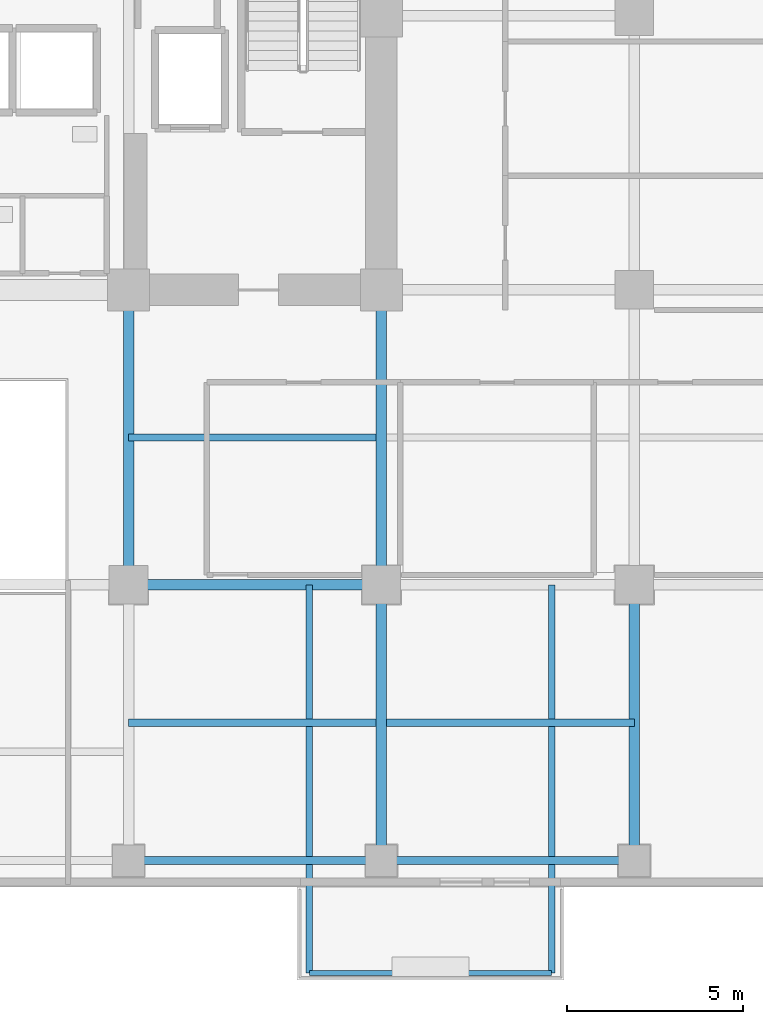
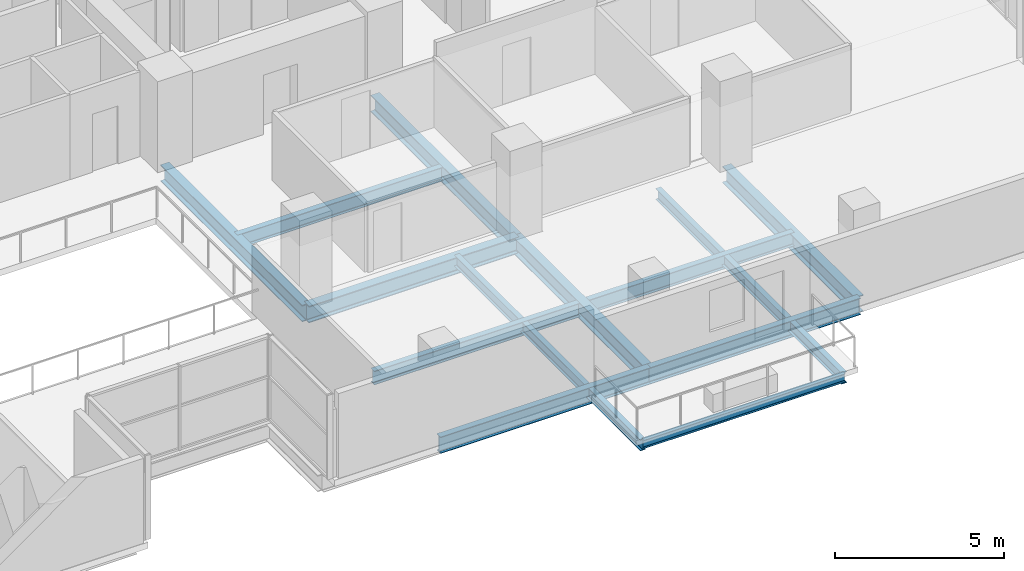
# One storey, part 10 of 32: 13 beams.
"""IFC4 building model written with IfcOpenShell, lengths in metres."""

from ifc_helpers import new_model, si_unit, direction, frame, origin, origin_2d, place, context, subcontext, project, spatial, i_section, extrude, material, material_profile, profile_set, type_object, element, save


model = new_model("IFC4")

# Units and contexts
model_context = context("Model", 3, precision=1e-05, world=origin(), true_north=direction((0.0, 1.0)))
body_context = subcontext(model_context, "Body", "Model", "MODEL_VIEW")
ifc_project = project(units=[si_unit("LENGTHUNIT", "METRE"), si_unit("AREAUNIT", "SQUARE_METRE"), si_unit("VOLUMEUNIT", "CUBIC_METRE"), si_unit("PLANEANGLEUNIT", "RADIAN"), si_unit("MASSUNIT", "GRAM", prefix="KILO")], contexts=[model_context])

# Site, building, storey
site_placement = place(None, origin())
site = spatial("IfcSite", under=ifc_project, at=site_placement, CompositionType="ELEMENT")
building_placement = place(site_placement, origin())
building = spatial("IfcBuilding", under=site, at=building_placement, Name="Zarnakvel Exchange Tower", CompositionType="ELEMENT")
storey_placement = place(building_placement, frame((0.0, 0.0, 73.60009765625)))
storey = spatial("IfcBuildingStorey", under=building, at=storey_placement, Name="L20", CompositionType="ELEMENT", Elevation=73.60009765625)

# Beams
ifc_material = material(Name="Steel S355", Category="steel")
ifc_material_profile_1 = material_profile(ifc_material, i_section(OverallWidth=0.199951171875, OverallDepth=0.5, WebThickness=0.01025390625, FlangeThickness=0.01611328125, FilletRadius=0.02099609375, at=origin_2d()))
ifc_profile_set_1 = profile_set([ifc_material_profile_1], Name="Steel S355")
beam_type_1 = type_object("IfcBeamType", Name="B-04", PredefinedType="JOIST", material=ifc_profile_set_1)
for number, where, z_axis, x_axis, name in (
    (1, (7.199951171875, -13.52490234375, -0.47509765625), (1.0, 0.0, 0.0), (0.0, 1.0, 0.0), "L20 Composite Floor Secondary Joist"),
    (2, (14.550048828125, -13.52490234375, -0.47509765625), (1.0, 0.0, 0.0), (0.0, 1.0, 0.0), "L20 Composite Floor Secondary Joist"),
    (3, (7.199951171875, -5.39990234375, -0.47509765625), (1.0, 0.0, 0.0), (0.0, 1.0, 0.0), "L20 Composite Floor Secondary Joist"),
):
    element("IfcBeam", number, at=place(storey_placement, frame(where, z_axis=z_axis, x_axis=x_axis)), inside=storey, type_object=beam_type_1, Name=name, PredefinedType="JOIST", context=body_context, shape_type="SweptSolid", body=[
        extrude(i_section(OverallWidth=0.199951171875, OverallDepth=0.5, WebThickness=0.01025390625, FlangeThickness=0.01611328125, FilletRadius=0.02099609375, at=origin_2d()), origin(), (0.0, 0.0, 1.0), 7.050048828125),
    ])
ifc_material_profile_2 = material_profile(ifc_material, i_section(OverallWidth=0.179931640625, OverallDepth=0.39990234375, WebThickness=0.008544921875, FlangeThickness=0.013427734375, FilletRadius=0.02099609375, at=origin_2d()))
ifc_profile_set_2 = profile_set([ifc_material_profile_2], Name="Steel S355")
beam_type_2 = type_object("IfcBeamType", Name="B-06", PredefinedType="JOIST", material=ifc_profile_set_2)
for number, where, z_axis, x_axis, name in (
    (4, (12.35009765625, -9.60009765625, -0.425048828125), (0.0, -1.0, 0.0), (1.0, 0.0, 0.0), "L20 Continuous Back-Spanned Balcony Beam W"),
    (5, (19.25, -9.60009765625, -0.425048828125), (0.0, -1.0, 0.0), (1.0, 0.0, 0.0), "L20 Continuous Back-Spanned Balcony Beam E"),
):
    element("IfcBeam", number, at=place(storey_placement, frame(where, z_axis=z_axis, x_axis=x_axis)), inside=storey, type_object=beam_type_2, Name=name, PredefinedType="JOIST", context=body_context, shape_type="SweptSolid", body=[
        extrude(i_section(OverallWidth=0.179931640625, OverallDepth=0.39990234375, WebThickness=0.008544921875, FlangeThickness=0.013427734375, FilletRadius=0.02099609375, at=origin_2d()), origin(), (0.0, 0.0, 1.0), 11.0498046875),
    ])
ifc_material_profile_3 = material_profile(ifc_material, i_section(OverallWidth=0.14990234375, OverallDepth=0.300048828125, WebThickness=0.007080078125, FlangeThickness=0.0107421875, FilletRadius=0.014892578125, at=origin_2d()))
ifc_profile_set_3 = profile_set([ifc_material_profile_3], Name="Steel S355")
beam_type_3 = type_object("IfcBeamType", Name="B-08", PredefinedType="JOIST", material=ifc_profile_set_3)
beam_1_placement = place(storey_placement, frame((12.35009765625, -20.64990234375, -0.375), z_axis=(1.0, 0.0, 0.0), x_axis=(0.0, 1.0, 0.0)))
element("IfcBeam", 6, at=beam_1_placement, inside=storey, type_object=beam_type_3, Name="L20 Balcony Edge Beam", PredefinedType="JOIST", context=body_context, shape_type="SweptSolid", body=[
    extrude(i_section(OverallWidth=0.14990234375, OverallDepth=0.300048828125, WebThickness=0.007080078125, FlangeThickness=0.0107421875, FilletRadius=0.014892578125, at=origin_2d()), origin(), (0.0, 0.0, 1.0), 6.89990234375),
])
ifc_material_profile_4 = material_profile(ifc_material, i_section(OverallWidth=0.300048828125, OverallDepth=0.60009765625, WebThickness=0.015380859375, FlangeThickness=0.030029296875, FilletRadius=0.027099609375, at=origin_2d()))
ifc_profile_set_4 = profile_set([ifc_material_profile_4], Name="Steel S355")
beam_type_4 = type_object("IfcBeamType", Name="G-04", PredefinedType="BEAM", material=ifc_profile_set_4)
beam_2_placement = place(storey_placement, frame((7.199951171875, -9.60009765625, -0.525146484375), z_axis=(1.0, 0.0, 0.0), x_axis=(0.0, 1.0, 0.0)))
element("IfcBeam", 7, at=beam_2_placement, inside=storey, type_object=beam_type_4, Name="L20 Tower E-W Frame Beam", PredefinedType="BEAM", context=body_context, shape_type="SweptSolid", body=[
    extrude(i_section(OverallWidth=0.300048828125, OverallDepth=0.60009765625, WebThickness=0.015380859375, FlangeThickness=0.030029296875, FilletRadius=0.027099609375, at=origin_2d()), origin(), (0.0, 0.0, 1.0), 7.199951171875),
])
beam_3_placement = place(storey_placement, frame((7.199951171875, -9.60009765625, -0.525146484375), z_axis=(0.0, 1.0, 0.0), x_axis=(-1.0, 0.0, 0.0)))
element("IfcBeam", 8, at=beam_3_placement, inside=storey, type_object=beam_type_4, Name="L20 Tower N-S Frame Beam", PredefinedType="BEAM", context=body_context, shape_type="SweptSolid", body=[
    extrude(i_section(OverallWidth=0.300048828125, OverallDepth=0.60009765625, WebThickness=0.015380859375, FlangeThickness=0.030029296875, FilletRadius=0.027099609375, at=origin_2d()), origin(), (0.0, 0.0, 1.0), 8.400146484375),
])
beam_4_placement = place(storey_placement, frame((14.39990234375, -17.449951171875, -0.525146484375), z_axis=(0.0, 1.0, 0.0), x_axis=(-1.0, 0.0, 0.0)))
element("IfcBeam", 9, at=beam_4_placement, inside=storey, type_object=beam_type_4, Name="L20 Tower N-S Frame Beam", PredefinedType="BEAM", context=body_context, shape_type="SweptSolid", body=[
    extrude(i_section(OverallWidth=0.300048828125, OverallDepth=0.60009765625, WebThickness=0.015380859375, FlangeThickness=0.030029296875, FilletRadius=0.027099609375, at=origin_2d()), origin(), (0.0, 0.0, 1.0), 7.849853515625),
])
beam_5_placement = place(storey_placement, frame((14.39990234375, -9.60009765625, -0.525146484375), z_axis=(0.0, 1.0, 0.0), x_axis=(-1.0, 0.0, 0.0)))
element("IfcBeam", 10, at=beam_5_placement, inside=storey, type_object=beam_type_4, Name="L20 Tower N-S Frame Beam", PredefinedType="BEAM", context=body_context, shape_type="SweptSolid", body=[
    extrude(i_section(OverallWidth=0.300048828125, OverallDepth=0.60009765625, WebThickness=0.015380859375, FlangeThickness=0.030029296875, FilletRadius=0.027099609375, at=origin_2d()), origin(), (0.0, 0.0, 1.0), 8.400146484375),
])
beam_6_placement = place(storey_placement, frame((21.60009765625, -17.449951171875, -0.525146484375), z_axis=(0.0, 1.0, 0.0), x_axis=(-1.0, 0.0, 0.0)))
element("IfcBeam", 11, at=beam_6_placement, inside=storey, type_object=beam_type_4, Name="L20 Tower N-S Frame Beam", PredefinedType="BEAM", context=body_context, shape_type="SweptSolid", body=[
    extrude(i_section(OverallWidth=0.300048828125, OverallDepth=0.60009765625, WebThickness=0.015380859375, FlangeThickness=0.030029296875, FilletRadius=0.027099609375, at=origin_2d()), origin(), (0.0, 0.0, 1.0), 7.849853515625),
])
ifc_material_profile_5 = material_profile(ifc_material, i_section(OverallWidth=0.219970703125, OverallDepth=0.60009765625, WebThickness=0.011962890625, FlangeThickness=0.01904296875, FilletRadius=0.02392578125, at=origin_2d()))
ifc_profile_set_5 = profile_set([ifc_material_profile_5], Name="Steel S355")
beam_type_5 = type_object("IfcBeamType", Name="SP-01", PredefinedType="SPANDREL", material=ifc_profile_set_5)
beam_7_placement = place(storey_placement, frame((7.199951171875, -17.449951171875, -0.525146484375), z_axis=(1.0, 0.0, 0.0), x_axis=(0.0, 1.0, 0.0)))
element("IfcBeam", 12, at=beam_7_placement, inside=storey, type_object=beam_type_5, Name="L20 Tower E-W Frame Beam", PredefinedType="SPANDREL", context=body_context, shape_type="SweptSolid", body=[
    extrude(i_section(OverallWidth=0.219970703125, OverallDepth=0.60009765625, WebThickness=0.011962890625, FlangeThickness=0.01904296875, FilletRadius=0.02392578125, at=origin_2d()), origin(), (0.0, 0.0, 1.0), 7.199951171875),
])
beam_8_placement = place(storey_placement, frame((14.39990234375, -17.449951171875, -0.525146484375), z_axis=(1.0, 0.0, 0.0), x_axis=(0.0, 1.0, 0.0)))
element("IfcBeam", 13, at=beam_8_placement, inside=storey, type_object=beam_type_5, Name="L20 Tower E-W Frame Beam", PredefinedType="SPANDREL", context=body_context, shape_type="SweptSolid", body=[
    extrude(i_section(OverallWidth=0.219970703125, OverallDepth=0.60009765625, WebThickness=0.011962890625, FlangeThickness=0.01904296875, FilletRadius=0.02392578125, at=origin_2d()), origin(), (0.0, 0.0, 1.0), 7.2001953125),
])

save(model, "model.ifc")
